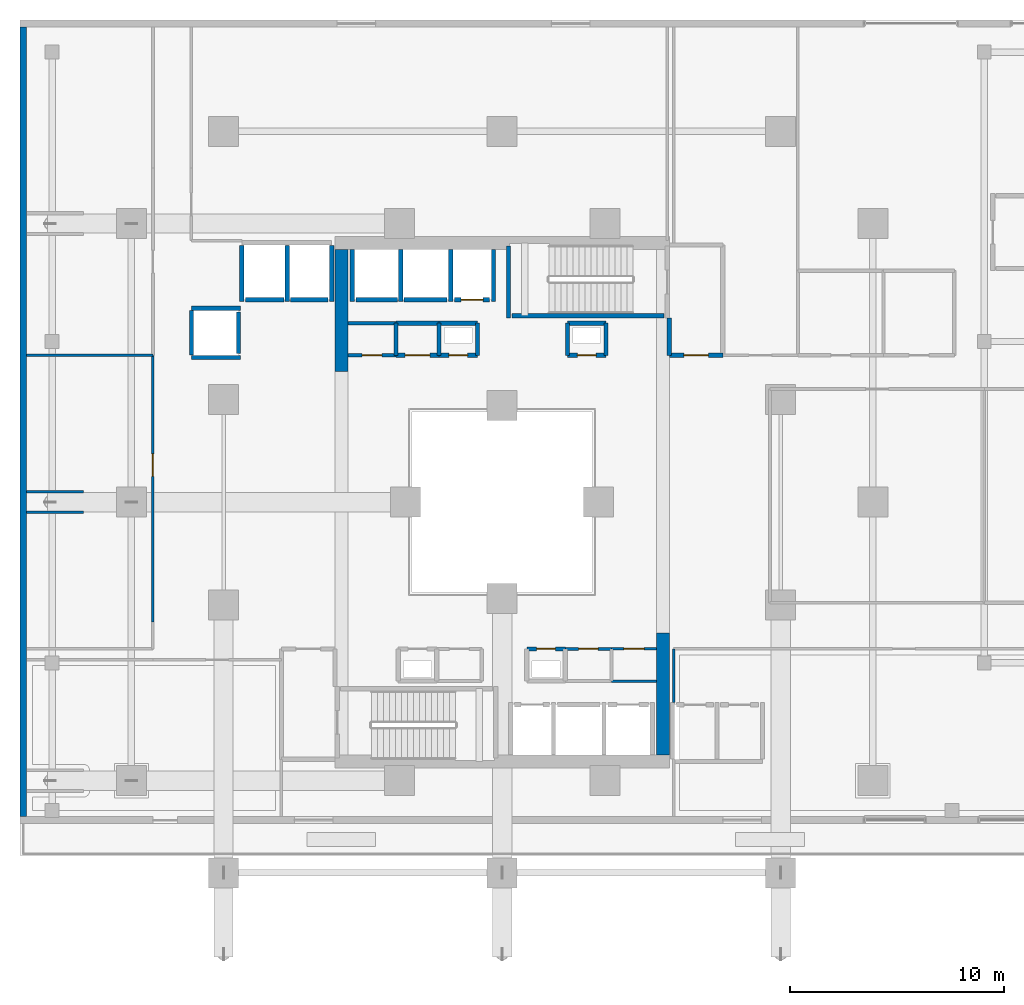
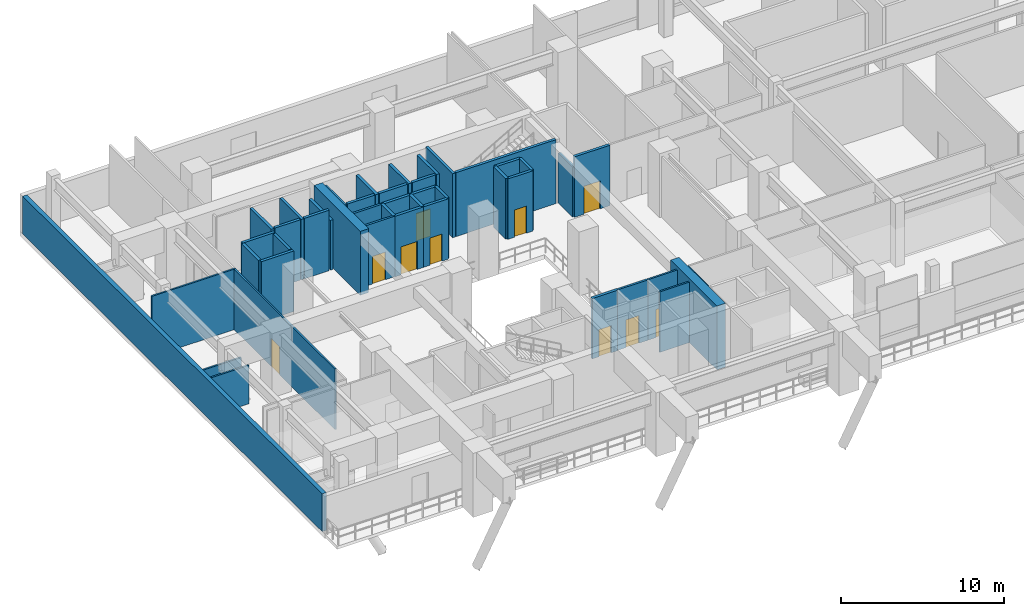
# One storey, part 15 of 25: 45 walls, 10 doors, 10 openings.
"""IFC4 building model written with IfcOpenShell, lengths in metres."""

import ifcopenshell
import ifcopenshell.guid

model = None  # the IFC model being written
_history = None  # IfcOwnerHistory: only IFC2X3 demands one
_inside = {}  # id of a spatial element -> (the spatial element, [elements in it])
_under = {}  # id of a project, library or spatial element -> (it, [spatial elements below it])
_declared = {}  # id of a project -> (the project, [libraries it declares])
_typed = {}  # id of a type object -> (the type object, [elements of that type])
_made_of = {}  # id of a material, layer set ... -> (it, [elements and type objects made of it])


def new_model(schema):
    """Start an empty IFC model of exactly this schema.

    Asked for "IFC4X3", IfcOpenShell would pick the latest addendum, in which some entities
    have other attributes; the version numbers below select the first issue.
    IFC2X3 requires an IfcOwnerHistory on every rooted entity: one is made here for all.
    """
    global model, _history
    if schema == "IFC4X3":
        model = ifcopenshell.file(schema_version=(4, 3, 0, 0))
    else:
        model = ifcopenshell.file(schema=schema)
    _inside.clear()
    _under.clear()
    _declared.clear()
    _typed.clear()
    _made_of.clear()
    _history = None
    if model.schema == "IFC2X3":
        org = make("IfcOrganization", Name="unknown")
        user = make(
            "IfcPersonAndOrganization",
            ThePerson=make("IfcPerson", FamilyName="unknown"),
            TheOrganization=org,
        )
        app = make(
            "IfcApplication",
            ApplicationDeveloper=org,
            Version="unknown",
            ApplicationFullName="unknown",
            ApplicationIdentifier="unknown",
        )
        _history = make(
            "IfcOwnerHistory",
            OwningUser=user,
            OwningApplication=app,
            ChangeAction="ADDED",
            CreationDate=0,
        )
    return model


def make(cls, **values):
    """One entity of the class cls with the attributes given. An attribute that is None is left unset."""
    return model.create_entity(
        cls, **{name: value for name, value in values.items() if value is not None}
    )


def rooted(cls, **values):
    """An entity with a GlobalId (a new one), such as an element, a storey or a relation."""
    return make(cls, GlobalId=ifcopenshell.guid.new(), OwnerHistory=_history, **values)


def si_unit(unit_type, name, prefix=None):
    """IfcSIUnit, for example si_unit("LENGTHUNIT", "METRE", prefix="MILLI")."""
    return make("IfcSIUnit", UnitType=unit_type, Prefix=prefix, Name=name)


def assignment(units):
    """IfcUnitAssignment: the units of a project."""
    return None if units is None else make("IfcUnitAssignment", Units=units)


def point(xyz):
    """IfcCartesianPoint."""
    return None if xyz is None else make("IfcCartesianPoint", Coordinates=xyz)


def direction(xyz):
    """IfcDirection."""
    return None if xyz is None else make("IfcDirection", DirectionRatios=xyz)


def frame(location, z_axis=None, x_axis=None):
    """IfcAxis2Placement3D, a coordinate frame: its origin and axes. An axis left out is left unset."""
    return make(
        "IfcAxis2Placement3D",
        Location=point(location),
        Axis=direction(z_axis),
        RefDirection=direction(x_axis),
    )


def frame_2d(location, x_axis=None):
    """IfcAxis2Placement2D, a coordinate frame in the plane: its origin and x axis."""
    return make(
        "IfcAxis2Placement2D", Location=point(location), RefDirection=direction(x_axis)
    )


def origin():
    """The frame at (0, 0, 0) with its axes left unset."""
    return frame((0.0, 0.0, 0.0))


def place(relative_to, where):
    """IfcLocalPlacement: puts the frame where relative to a parent placement (None: the world)."""
    return make(
        "IfcLocalPlacement", PlacementRelTo=relative_to, RelativePlacement=where
    )


def context(
    kind, dimensions, precision=None, world=None, true_north=None, identifier=None
):
    """IfcGeometricRepresentationContext, for example the 3D "Model" context."""
    return make(
        "IfcGeometricRepresentationContext",
        ContextIdentifier=identifier,
        ContextType=kind,
        CoordinateSpaceDimension=dimensions,
        Precision=precision,
        WorldCoordinateSystem=world,
        TrueNorth=true_north,
    )


def subcontext(parent, identifier, kind, view, scale=None):
    """IfcGeometricRepresentationSubContext, for example "Body" below "Model"."""
    return make(
        "IfcGeometricRepresentationSubContext",
        ContextIdentifier=identifier,
        ContextType=kind,
        ParentContext=parent,
        TargetScale=scale,
        TargetView=view,
    )


def project(units=None, contexts=None):
    """IfcProject with its units and contexts."""
    return rooted(
        "IfcProject",
        Name="project",
        RepresentationContexts=contexts,
        UnitsInContext=assignment(units),
    )


def spatial(cls, under=None, at=None, **own):
    """A site, building, storey or space (cls), placed at a placement, below another one or the project."""
    s = rooted(cls, ObjectPlacement=at, **own)
    if under is not None:
        _under.setdefault(under.id(), (under, []))[1].append(s)
    return s


def profile(cls, at=None, kind="AREA", **sizes):
    """A parametric profile (cls). Its sizes go by their IFC names, for example OverallWidth=200.0."""
    return make(cls, ProfileType=kind, Position=at, **sizes)


def rectangle(**sizes):
    """IfcRectangleProfileDef."""
    return profile("IfcRectangleProfileDef", **sizes)


def extrude(swept, where, along, depth):
    """IfcExtrudedAreaSolid: the profile swept, set in the frame where, extruded along a direction by depth."""
    return make(
        "IfcExtrudedAreaSolid",
        SweptArea=swept,
        Position=where,
        ExtrudedDirection=direction(along),
        Depth=depth,
    )


def shape(context_of_items, identifier, shape_type, items):
    """IfcShapeRepresentation: the items that make up one representation, for example the "Body"."""
    return make(
        "IfcShapeRepresentation",
        ContextOfItems=context_of_items,
        RepresentationIdentifier=identifier,
        RepresentationType=shape_type,
        Items=items,
    )


def material(Name=None, Category=None):
    """IfcMaterial."""
    return make("IfcMaterial", Name=Name, Category=Category)


def layer(
    of_material, thickness, ventilated=None, Name=None, Category=None, Priority=None
):
    """IfcMaterialLayer: one layer of a wall or slab, of a material (None: an air gap)."""
    return make(
        "IfcMaterialLayer",
        Material=of_material,
        LayerThickness=thickness,
        IsVentilated=ventilated,
        Name=Name,
        Category=Category,
        Priority=Priority,
    )


def layer_set(layers, Name=None):
    """IfcMaterialLayerSet."""
    return make("IfcMaterialLayerSet", MaterialLayers=layers, LayerSetName=Name)


def made_of(thing, what):
    """Note that an element or type object is made of a material, layer set ...; save() writes the relation."""
    if what is not None:
        _made_of.setdefault(what.id(), (what, []))[1].append(thing)
    return thing


def type_object(cls, material=None, **own):
    """A type object (cls), such as IfcWallType, which elements share."""
    return made_of(rooted(cls, **own), material)


def element(
    cls,
    number,
    at=None,
    inside=None,
    cuts=None,
    type_object=None,
    material=None,
    context=None,
    identifier="Body",
    shape_type=None,
    held_by="IfcProductDefinitionShape",
    body=None,
    shapes=None,
    **own,
):
    """One element of the class cls, such as IfcWall. Its Tag is "e" and its number.

    at: its placement. inside: the storey or other place that contains it. cuts: it is an
    opening in that element (IfcRelVoidsElement). A single representation is given by context,
    identifier, shape_type and body (its items); several are given by shapes. held_by: the class
    of the entity that holds the representations. save() writes the other relations.
    """
    e = rooted(cls, Tag="e%d" % number, ObjectPlacement=at, **own)
    if body is not None:
        shapes = [shape(context, identifier, shape_type, body)]
    if shapes is not None:
        e.Representation = make(held_by, Representations=shapes)
    if inside is not None:
        _inside.setdefault(inside.id(), (inside, []))[1].append(e)
    if cuts is not None:
        rooted(
            "IfcRelVoidsElement", RelatingBuildingElement=cuts, RelatedOpeningElement=e
        )
    if type_object is not None:
        _typed.setdefault(type_object.id(), (type_object, []))[1].append(e)
    return made_of(e, material)


def fill(opening, filler):
    """IfcRelFillsElement: the door or window that sits in an opening."""
    return rooted(
        "IfcRelFillsElement",
        RelatingOpeningElement=opening,
        RelatedBuildingElement=filler,
    )


def aggregate(whole, parts):
    """IfcRelAggregates: a whole, such as a stair, and the parts it consists of."""
    return rooted("IfcRelAggregates", RelatingObject=whole, RelatedObjects=parts)


def save(model, path):
    """Write the relations noted so far, then the file.

    IfcRelAggregates (storeys below a building ...), IfcRelContainedInSpatialStructure (elements
    in a storey), IfcRelDefinesByType, IfcRelAssociatesMaterial and IfcRelDeclares: one each for
    every whole, place, type object, material and project.
    """
    for whole, parts in _under.values():
        aggregate(whole, parts)
    for where, things in _inside.values():
        rooted(
            "IfcRelContainedInSpatialStructure",
            RelatedElements=things,
            RelatingStructure=where,
        )
    for kind, things in _typed.values():
        rooted("IfcRelDefinesByType", RelatedObjects=things, RelatingType=kind)
    for what, things in _made_of.values():
        rooted("IfcRelAssociatesMaterial", RelatedObjects=things, RelatingMaterial=what)
    for by, libraries in _declared.values():
        rooted("IfcRelDeclares", RelatingContext=by, RelatedDefinitions=libraries)
    model.write(path)


model = new_model("IFC4")

# Units and contexts
model_context = context("Model", 3, precision=1e-05, world=origin(), true_north=direction((0.0, 1.0)))
body_context = subcontext(model_context, "Body", "Model", "MODEL_VIEW")
ifc_project = project(units=[si_unit("LENGTHUNIT", "METRE"), si_unit("AREAUNIT", "SQUARE_METRE"), si_unit("VOLUMEUNIT", "CUBIC_METRE"), si_unit("PLANEANGLEUNIT", "RADIAN"), si_unit("MASSUNIT", "GRAM", prefix="KILO")], contexts=[model_context])

# Site, building, storey
site_placement = place(None, origin())
site = spatial("IfcSite", under=ifc_project, at=site_placement, CompositionType="ELEMENT")
building_placement = place(site_placement, origin())
building = spatial("IfcBuilding", under=site, at=building_placement, Name="Thornwick Lancets Civic Towers", CompositionType="ELEMENT")
storey_placement = place(building_placement, frame((0.0, 0.0, 23.10009765625)))
storey = spatial("IfcBuildingStorey", under=building, at=storey_placement, Name="L05", CompositionType="ELEMENT", Elevation=23.10009765625)

# Wall, opening, door
ifc_material_1 = material(Name="Concrete blockwork C40/50", Category="masonry")
ifc_layer_1 = layer(ifc_material_1, 0.199951171875, Name="Concrete blockwork C40/50")
ifc_layer_set_1 = layer_set([ifc_layer_1], Name="Concrete blockwork C40/50")
wall_type_1 = type_object("IfcWallType", Name="WALL_COMP_200", PredefinedType="STANDARD", material=ifc_layer_set_1)
wall_1_placement = place(storey_placement, frame((24.919921875, 36.449951171875, 0.0), z_axis=(0.0, 0.0, 1.0), x_axis=(-1.0, 0.0, 0.0)))
wall_1 = element("IfcWall", 1, at=wall_1_placement, inside=storey, type_object=wall_type_1, Name="L05 Hoistway Front Wall FL-A2", PredefinedType="STANDARD", context=body_context, shape_type="SweptSolid", body=[
    extrude(rectangle(XDim=1.639892578125, YDim=0.199951171875, at=frame_2d((0.81982421875, 0.0))), origin(), (0.0, 0.0, 1.0), 4.539794921875),
])
opening_1_placement = place(wall_1_placement, frame((0.31005859375, 0.0, 0.0)))
opening_1 = element("IfcOpeningElement", 2, at=opening_1_placement, cuts=wall_1, Name="Opening LD-FL-A2", PredefinedType="OPENING", context=body_context, shape_type="SweptSolid", body=[
    extrude(rectangle(XDim=1.02001953125, YDim=2.06005859375, at=frame_2d((0.510009765625, 1.030029296875))), frame((0.0, 0.10986328125, 0.0), z_axis=(0.0, -1.0, 0.0), x_axis=(1.0, 0.0, 0.0)), (0.0, 0.0, 1.0), 0.219970703125),
])
ifc_material_2 = material(Name="Brushed bronze stainless steel", Category="steel")
door_type_1 = type_object("IfcDoorType", Name="DOOR_LIFT_SLIDE", OperationType="SLIDING_TO_LEFT", PredefinedType="DOOR", material=ifc_material_2)
door_1_placement = place(opening_1_placement, origin())
door_1 = element("IfcDoor", 3, at=door_1_placement, inside=storey, type_object=door_type_1, Name="L05 Sliding Lift Landing Door LD-FL-A2", OperationType="SLIDING_TO_LEFT", OverallHeight=2.06005859375, OverallWidth=1.02001953125, PredefinedType="DOOR", context=body_context, shape_type="SweptSolid", body=[
    extrude(rectangle(XDim=1.02001953125, YDim=2.06005859375, at=frame_2d((0.510009765625, 1.030029296875))), frame((0.0, 0.02490234375, 0.0), z_axis=(0.0, -1.0, 0.0), x_axis=(1.0, 0.0, 0.0)), (0.0, 0.0, 1.0), 0.050048828125),
])
fill(opening_1, door_1)

# Walls
wall_2_placement = place(storey_placement, frame((22.919921875, 36.449951171875, 0.0), z_axis=(0.0, 0.0, 1.0), x_axis=(-1.0, 0.0, 0.0)))
element("IfcWall", 4, at=wall_2_placement, inside=storey, type_object=wall_type_1, Name="L05 Hoistway Front Wall PL-AH2", PredefinedType="STANDARD", context=body_context, shape_type="SweptSolid", body=[
    extrude(rectangle(XDim=1.989990234375, YDim=0.199951171875, at=frame_2d((0.9951171875, 0.0))), origin(), (0.0, 0.0, 1.0), 4.539794921875),
])
wall_3_placement = place(storey_placement, frame((20.6201171875, 36.449951171875, 0.0), z_axis=(0.0, 0.0, 1.0), x_axis=(-1.0, 0.0, 0.0)))
element("IfcWall", 5, at=wall_3_placement, inside=storey, type_object=wall_type_1, Name="L05 Hoistway Front Wall PL-AH3", PredefinedType="STANDARD", context=body_context, shape_type="SweptSolid", body=[
    extrude(rectangle(XDim=1.940185546875, YDim=0.199951171875, at=frame_2d((0.97021484375, 0.0))), origin(), (0.0, 0.0, 1.0), 4.539794921875),
])
wall_4_placement = place(storey_placement, frame((17.3701171875, 36.449951171875, 0.0), z_axis=(0.0, 0.0, 1.0), x_axis=(-1.0, 0.0, 0.0)))
element("IfcWall", 6, at=wall_4_placement, inside=storey, type_object=wall_type_1, Name="L05 Hoistway Front Wall PL-AM1", PredefinedType="STANDARD", context=body_context, shape_type="SweptSolid", body=[
    extrude(rectangle(XDim=1.740234375, YDim=0.199951171875, at=frame_2d((0.8701171875, 0.0))), origin(), (0.0, 0.0, 1.0), 4.539794921875),
])
wall_5_placement = place(storey_placement, frame((15.320068359375, 36.449951171875, 0.0), z_axis=(0.0, 0.0, 1.0), x_axis=(-1.0, 0.0, 0.0)))
element("IfcWall", 7, at=wall_5_placement, inside=storey, type_object=wall_type_1, Name="L05 Hoistway Front Wall PL-AM2", PredefinedType="STANDARD", context=body_context, shape_type="SweptSolid", body=[
    extrude(rectangle(XDim=1.7900390625, YDim=0.199951171875, at=frame_2d((0.89501953125, 0.0))), origin(), (0.0, 0.0, 1.0), 4.539794921875),
])
wall_6_placement = place(storey_placement, frame((13.199951171875, 33.929931640625, 0.0), z_axis=(0.0, 0.0, 1.0), x_axis=(0.0, 1.0, 0.0)))
element("IfcWall", 8, at=wall_6_placement, inside=storey, type_object=wall_type_1, Name="L05 Hoistway Front Wall PL-AM3", PredefinedType="STANDARD", context=body_context, shape_type="SweptSolid", body=[
    extrude(rectangle(XDim=1.940185546875, YDim=0.199951171875, at=frame_2d((0.97021484375, 0.0))), origin(), (0.0, 0.0, 1.0), 4.539794921875),
])
for number, where, z_axis, x_axis, name in (
    (9, (25.10009765625, 36.35205078125, 0.0), (0.0, 0.0, 1.0), (0.0, 1.0, 0.0), "L05 Hoistway Shaft Wall FL-A2 E"),
    (10, (23.10009765625, 36.35205078125, 0.0), (0.0, 0.0, 1.0), (0.0, 1.0, 0.0), "L05 Hoistway Shaft Wall FL-A2 W"),
    (11, (20.77490234375, 36.35205078125, 0.0), (0.0, 0.0, 1.0), (0.0, 1.0, 0.0), "L05 Hoistway Shaft Wall PL-AH2 W"),
    (12, (18.5, 36.35205078125, 0.0), (0.0, 0.0, 1.0), (0.0, 1.0, 0.0), "L05 Hoistway Shaft Wall PL-AH3 W"),
):
    element("IfcWall", number, at=place(storey_placement, frame(where, z_axis=z_axis, x_axis=x_axis)), inside=storey, type_object=wall_type_1, Name=name, PredefinedType="STANDARD", context=body_context, shape_type="SweptSolid", body=[
        extrude(rectangle(XDim=2.43603515625, YDim=0.199951171875, at=frame_2d((1.218017578125, 0.0))), origin(), (0.0, 0.0, 1.0), 4.539794921875),
    ])
wall_7_placement = place(storey_placement, frame((17.550048828125, 36.35205078125, 0.0), z_axis=(0.0, 0.0, 1.0), x_axis=(0.0, 1.0, 0.0)))
element("IfcWall", 13, at=wall_7_placement, inside=storey, type_object=wall_type_1, Name="L05 Hoistway Shaft Wall PL-AM1 E", PredefinedType="STANDARD", context=body_context, shape_type="SweptSolid", body=[
    extrude(rectangle(XDim=2.635986328125, YDim=0.199951171875, at=frame_2d((1.31787109375, 0.0))), origin(), (0.0, 0.0, 1.0), 3.744873046875),
])
for number, where, z_axis, x_axis, name in (
    (14, (15.47509765625, 36.35205078125, 0.0), (0.0, 0.0, 1.0), (0.0, 1.0, 0.0), "L05 Hoistway Shaft Wall PL-AM1 W"),
    (15, (13.35009765625, 36.35205078125, 0.0), (0.0, 0.0, 1.0), (0.0, 1.0, 0.0), "L05 Hoistway Shaft Wall PL-AM2 W"),
):
    element("IfcWall", number, at=place(storey_placement, frame(where, z_axis=z_axis, x_axis=x_axis)), inside=storey, type_object=wall_type_1, Name=name, PredefinedType="STANDARD", context=body_context, shape_type="SweptSolid", body=[
        extrude(rectangle(XDim=2.635986328125, YDim=0.199951171875, at=frame_2d((1.31787109375, 0.0))), origin(), (0.0, 0.0, 1.0), 4.539794921875),
    ])
for number, where, z_axis, x_axis, name in (
    (16, (11.001953125, 36.050048828125, 0.0), (0.0, 0.0, 1.0), (1.0, 0.0, 0.0), "L05 Hoistway Shaft Wall PL-AM3 N"),
    (17, (11.001953125, 33.75, 0.0), (0.0, 0.0, 1.0), (1.0, 0.0, 0.0), "L05 Hoistway Shaft Wall PL-AM3 S"),
):
    element("IfcWall", number, at=place(storey_placement, frame(where, z_axis=z_axis, x_axis=x_axis)), inside=storey, type_object=wall_type_1, Name=name, PredefinedType="STANDARD", context=body_context, shape_type="SweptSolid", body=[
        extrude(rectangle(XDim=2.296142578125, YDim=0.199951171875, at=frame_2d((1.14794921875, 0.0))), origin(), (0.0, 0.0, 1.0), 4.539794921875),
    ])
wall_8_placement = place(storey_placement, frame((11.0, 33.862060546875, 0.0), z_axis=(0.0, 0.0, 1.0), x_axis=(0.0, 1.0, 0.0)))
element("IfcWall", 18, at=wall_8_placement, inside=storey, type_object=wall_type_1, Name="L05 Hoistway Shaft Wall PL-AM3 W", PredefinedType="STANDARD", context=body_context, shape_type="SweptSolid", body=[
    extrude(rectangle(XDim=2.075927734375, YDim=0.199951171875, at=frame_2d((1.0380859375, 0.0))), origin(), (0.0, 0.0, 1.0), 4.539794921875),
])

# Wall, opening, door
wall_9_placement = place(storey_placement, frame((33.300048828125, 33.85009765625, 0.0), z_axis=(0.0, 0.0, 1.0), x_axis=(1.0, 0.0, 0.0)))
wall_9 = element("IfcWall", 19, at=wall_9_placement, inside=storey, type_object=wall_type_1, Name="L05 Partition L05-A-FFLOB2 E1", PredefinedType="STANDARD", context=body_context, shape_type="SweptSolid", body=[
    extrude(rectangle(XDim=2.5, YDim=0.199951171875, at=frame_2d((1.25, 0.0))), origin(), (0.0, 0.0, 1.0), 4.539794921875),
])
opening_2_placement = place(wall_9_placement, frame((0.675048828125, 0.0, 0.0)))
opening_2 = element("IfcOpeningElement", 20, at=opening_2_placement, cuts=wall_9, Name="Opening D-L05-0279", PredefinedType="OPENING", context=body_context, shape_type="SweptSolid", body=[
    extrude(rectangle(XDim=1.14990234375, YDim=2.10009765625, at=frame_2d((0.574951171875, 1.050048828125))), frame((0.0, 0.10986328125, 0.0), z_axis=(0.0, -1.0, 0.0), x_axis=(1.0, 0.0, 0.0)), (0.0, 0.0, 1.0), 0.219970703125),
])
ifc_material_3 = material(Name="Glazed fire-resisting steel", Category="steel")
door_type_2 = type_object("IfcDoorType", Name="DOOR_LOBBY_FD60", OperationType="NOTDEFINED", PredefinedType="DOOR", material=ifc_material_3)
door_2_placement = place(opening_2_placement, origin())
door_2 = element("IfcDoor", 21, at=door_2_placement, inside=storey, type_object=door_type_2, Name="L05 North Firefighting Lobby 2 Door", OperationType="SINGLE_SWING_RIGHT", OverallHeight=2.10009765625, OverallWidth=1.14990234375, PredefinedType="DOOR", context=body_context, shape_type="SweptSolid", body=[
    extrude(rectangle(XDim=1.14990234375, YDim=2.10009765625, at=frame_2d((0.574951171875, 1.050048828125))), frame((0.0, 0.02490234375, 0.0), z_axis=(0.0, -1.0, 0.0), x_axis=(1.0, 0.0, 0.0)), (0.0, 0.0, 1.0), 0.050048828125),
])
fill(opening_2, door_2)

# Wall
wall_10_placement = place(storey_placement, frame((33.300048828125, 35.60009765625, 0.0), z_axis=(0.0, 0.0, 1.0), x_axis=(0.0, -1.0, 0.0)))
element("IfcWall", 22, at=wall_10_placement, inside=storey, type_object=wall_type_1, Name="L05 Partition L05-A-FFLOB2 E4", PredefinedType="STANDARD", context=body_context, shape_type="SweptSolid", body=[
    extrude(rectangle(XDim=1.75, YDim=0.199951171875, at=frame_2d((0.875, 0.0))), origin(), (0.0, 0.0, 1.0), 3.744873046875),
])

# Wall, opening, door
wall_11_placement = place(storey_placement, frame((28.449951171875, 20.14990234375, 0.0), z_axis=(0.0, 0.0, 1.0), x_axis=(-1.0, 0.0, 0.0)))
wall_11 = element("IfcWall", 23, at=wall_11_placement, inside=storey, type_object=wall_type_1, Name="L05 Partition L05-A-DUCT1 E3", PredefinedType="STANDARD", context=body_context, shape_type="SweptSolid", body=[
    extrude(rectangle(XDim=1.800048828125, YDim=0.199951171875, at=frame_2d((0.89990234375, 0.0))), origin(), (0.0, 0.0, 1.0), 4.539794921875),
])
opening_3_placement = place(wall_11_placement, frame((0.4599609375, 0.0, 0.0)))
opening_3 = element("IfcOpeningElement", 24, at=opening_3_placement, cuts=wall_11, Name="Opening D-L05-0280", PredefinedType="OPENING", context=body_context, shape_type="SweptSolid", body=[
    extrude(rectangle(XDim=0.8798828125, YDim=2.0400390625, at=frame_2d((0.43994140625, 1.02001953125))), frame((0.0, 0.10986328125, 0.0), z_axis=(0.0, -1.0, 0.0), x_axis=(1.0, 0.0, 0.0)), (0.0, 0.0, 1.0), 0.219970703125),
])
ifc_material_4 = material(Name="Steel riser access doorset", Category="steel")
door_type_3 = type_object("IfcDoorType", Name="DOOR_RISER_850", OperationType="NOTDEFINED", PredefinedType="DOOR", material=ifc_material_4)
door_3_placement = place(opening_3_placement, origin())
door_3 = element("IfcDoor", 25, at=door_3_placement, inside=storey, type_object=door_type_3, Name="L05 South Service Duct 1 Door", OperationType="SINGLE_SWING_LEFT", OverallHeight=2.0400390625, OverallWidth=0.8798828125, PredefinedType="DOOR", context=body_context, shape_type="SweptSolid", body=[
    extrude(rectangle(XDim=0.8798828125, YDim=2.0400390625, at=frame_2d((0.43994140625, 1.02001953125))), frame((0.0, 0.02490234375, 0.0), z_axis=(0.0, -1.0, 0.0), x_axis=(1.0, 0.0, 0.0)), (0.0, 0.0, 1.0), 0.050048828125),
])
fill(opening_3, door_3)

wall_12_placement = place(storey_placement, frame((22.550048828125, 33.85009765625, 0.0), z_axis=(0.0, 0.0, 1.0), x_axis=(1.0, 0.0, 0.0)))
wall_12 = element("IfcWall", 26, at=wall_12_placement, inside=storey, type_object=wall_type_1, Name="L05 Partition L05-A-DUCT2 E1", PredefinedType="STANDARD", context=body_context, shape_type="SweptSolid", body=[
    extrude(rectangle(XDim=1.800048828125, YDim=0.199951171875, at=frame_2d((0.89990234375, 0.0))), origin(), (0.0, 0.0, 1.0), 4.539794921875),
])
opening_4_placement = place(wall_12_placement, frame((0.4599609375, 0.0, 0.0)))
opening_4 = element("IfcOpeningElement", 27, at=opening_4_placement, cuts=wall_12, Name="Opening D-L05-0282", PredefinedType="OPENING", context=body_context, shape_type="SweptSolid", body=[
    extrude(rectangle(XDim=0.8798828125, YDim=2.0400390625, at=frame_2d((0.43994140625, 1.02001953125))), frame((0.0, 0.10986328125, 0.0), z_axis=(0.0, -1.0, 0.0), x_axis=(1.0, 0.0, 0.0)), (0.0, 0.0, 1.0), 0.219970703125),
])
door_4_placement = place(opening_4_placement, origin())
door_4 = element("IfcDoor", 28, at=door_4_placement, inside=storey, type_object=door_type_3, Name="L05 North Service Duct 2 Door", OperationType="SINGLE_SWING_LEFT", OverallHeight=2.0400390625, OverallWidth=0.8798828125, PredefinedType="DOOR", context=body_context, shape_type="SweptSolid", body=[
    extrude(rectangle(XDim=0.8798828125, YDim=2.0400390625, at=frame_2d((0.43994140625, 1.02001953125))), frame((0.0, 0.02490234375, 0.0), z_axis=(0.0, -1.0, 0.0), x_axis=(1.0, 0.0, 0.0)), (0.0, 0.0, 1.0), 0.050048828125),
])
fill(opening_4, door_4)

# Walls
wall_13_placement = place(storey_placement, frame((24.35009765625, 33.85009765625, 0.0), z_axis=(0.0, 0.0, 1.0), x_axis=(0.0, 1.0, 0.0)))
element("IfcWall", 29, at=wall_13_placement, inside=storey, type_object=wall_type_1, Name="L05 Partition L05-A-DUCT2 E2", PredefinedType="STANDARD", context=body_context, shape_type="SweptSolid", body=[
    extrude(rectangle(XDim=1.5, YDim=0.199951171875, at=frame_2d((0.75, 0.0))), origin(), (0.0, 0.0, 1.0), 4.539794921875),
])
wall_14_placement = place(storey_placement, frame((24.35009765625, 35.35009765625, 0.0), z_axis=(0.0, 0.0, 1.0), x_axis=(-1.0, 0.0, 0.0)))
element("IfcWall", 30, at=wall_14_placement, inside=storey, type_object=wall_type_1, Name="L05 Partition L05-A-DUCT2 E3", PredefinedType="STANDARD", context=body_context, shape_type="SweptSolid", body=[
    extrude(rectangle(XDim=1.800048828125, YDim=0.199951171875, at=frame_2d((0.89990234375, 0.0))), origin(), (0.0, 0.0, 1.0), 4.539794921875),
])
wall_15_placement = place(storey_placement, frame((22.550048828125, 35.35009765625, 0.0), z_axis=(0.0, 0.0, 1.0), x_axis=(0.0, -1.0, 0.0)))
element("IfcWall", 31, at=wall_15_placement, inside=storey, type_object=wall_type_1, Name="L05 Partition L05-A-DUCT2 E4", PredefinedType="STANDARD", context=body_context, shape_type="SweptSolid", body=[
    extrude(rectangle(XDim=1.5, YDim=0.199951171875, at=frame_2d((0.75, 0.0))), origin(), (0.0, 0.0, 1.0), 4.539794921875),
])

# Wall, opening, door
wall_16_placement = place(storey_placement, frame((28.550048828125, 33.85009765625, 0.0), z_axis=(0.0, 0.0, 1.0), x_axis=(1.0, 0.0, 0.0)))
wall_16 = element("IfcWall", 32, at=wall_16_placement, inside=storey, type_object=wall_type_1, Name="L05 Partition L05-A-RISER2 E1", PredefinedType="STANDARD", context=body_context, shape_type="SweptSolid", body=[
    extrude(rectangle(XDim=1.800048828125, YDim=0.199951171875, at=frame_2d((0.89990234375, 0.0))), origin(), (0.0, 0.0, 1.0), 4.539794921875),
])
opening_5_placement = place(wall_16_placement, frame((0.4599609375, 0.0, 0.0)))
opening_5 = element("IfcOpeningElement", 33, at=opening_5_placement, cuts=wall_16, Name="Opening D-L05-0283", PredefinedType="OPENING", context=body_context, shape_type="SweptSolid", body=[
    extrude(rectangle(XDim=0.8798828125, YDim=2.0400390625, at=frame_2d((0.43994140625, 1.02001953125))), frame((0.0, 0.10986328125, 0.0), z_axis=(0.0, -1.0, 0.0), x_axis=(1.0, 0.0, 0.0)), (0.0, 0.0, 1.0), 0.219970703125),
])
door_5_placement = place(opening_5_placement, origin())
door_5 = element("IfcDoor", 34, at=door_5_placement, inside=storey, type_object=door_type_3, Name="L05 North Service Riser 2 Door", OperationType="SINGLE_SWING_RIGHT", OverallHeight=2.0400390625, OverallWidth=0.8798828125, PredefinedType="DOOR", context=body_context, shape_type="SweptSolid", body=[
    extrude(rectangle(XDim=0.8798828125, YDim=2.0400390625, at=frame_2d((0.43994140625, 1.02001953125))), frame((0.0, 0.02490234375, 0.0), z_axis=(0.0, -1.0, 0.0), x_axis=(1.0, 0.0, 0.0)), (0.0, 0.0, 1.0), 0.050048828125),
])
fill(opening_5, door_5)

# Walls
wall_17_placement = place(storey_placement, frame((30.35009765625, 33.85009765625, 0.0), z_axis=(0.0, 0.0, 1.0), x_axis=(0.0, 1.0, 0.0)))
element("IfcWall", 35, at=wall_17_placement, inside=storey, type_object=wall_type_1, Name="L05 Partition L05-A-RISER2 E2", PredefinedType="STANDARD", context=body_context, shape_type="SweptSolid", body=[
    extrude(rectangle(XDim=1.5, YDim=0.199951171875, at=frame_2d((0.75, 0.0))), origin(), (0.0, 0.0, 1.0), 4.539794921875),
])
wall_18_placement = place(storey_placement, frame((30.35009765625, 35.35009765625, 0.0), z_axis=(0.0, 0.0, 1.0), x_axis=(-1.0, 0.0, 0.0)))
element("IfcWall", 36, at=wall_18_placement, inside=storey, type_object=wall_type_1, Name="L05 Partition L05-A-RISER2 E3", PredefinedType="STANDARD", context=body_context, shape_type="SweptSolid", body=[
    extrude(rectangle(XDim=1.800048828125, YDim=0.199951171875, at=frame_2d((0.89990234375, 0.0))), origin(), (0.0, 0.0, 1.0), 4.539794921875),
])
for number, where, z_axis, x_axis, name in (
    (37, (28.550048828125, 35.35009765625, 0.0), (0.0, 0.0, 1.0), (0.0, -1.0, 0.0), "L05 Partition L05-A-RISER2 E4"),
    (38, (20.550048828125, 33.85009765625, 0.0), (0.0, 0.0, 1.0), (0.0, 1.0, 0.0), "L05 Partition L05-A-STR E1"),
):
    element("IfcWall", number, at=place(storey_placement, frame(where, z_axis=z_axis, x_axis=x_axis)), inside=storey, type_object=wall_type_1, Name=name, PredefinedType="STANDARD", context=body_context, shape_type="SweptSolid", body=[
        extrude(rectangle(XDim=1.5, YDim=0.199951171875, at=frame_2d((0.75, 0.0))), origin(), (0.0, 0.0, 1.0), 4.539794921875),
    ])
wall_19_placement = place(storey_placement, frame((20.550048828125, 35.35009765625, 0.0), z_axis=(0.0, 0.0, 1.0), x_axis=(1.0, 0.0, 0.0)))
element("IfcWall", 39, at=wall_19_placement, inside=storey, type_object=wall_type_1, Name="L05 Partition L05-A-STR E2", PredefinedType="STANDARD", context=body_context, shape_type="SweptSolid", body=[
    extrude(rectangle(XDim=2.0, YDim=0.199951171875, at=frame_2d((1.0, 0.0))), origin(), (0.0, 0.0, 1.0), 4.539794921875),
])

# Wall, opening, door
wall_20_placement = place(storey_placement, frame((22.550048828125, 33.85009765625, 0.0), z_axis=(0.0, 0.0, 1.0), x_axis=(-1.0, 0.0, 0.0)))
wall_20 = element("IfcWall", 40, at=wall_20_placement, inside=storey, type_object=wall_type_1, Name="L05 Partition L05-A-STR E4", PredefinedType="STANDARD", context=body_context, shape_type="SweptSolid", body=[
    extrude(rectangle(XDim=2.0, YDim=0.199951171875, at=frame_2d((1.0, 0.0))), origin(), (0.0, 0.0, 1.0), 4.539794921875),
])
opening_6_placement = place(wall_20_placement, frame((0.425048828125, 0.0, 0.0)))
opening_6 = element("IfcOpeningElement", 41, at=opening_6_placement, cuts=wall_20, Name="Opening D-L05-0288", PredefinedType="OPENING", context=body_context, shape_type="SweptSolid", body=[
    extrude(rectangle(XDim=1.14990234375, YDim=2.10009765625, at=frame_2d((0.574951171875, 1.050048828125))), frame((0.0, 0.10986328125, 0.0), z_axis=(0.0, -1.0, 0.0), x_axis=(1.0, 0.0, 0.0)), (0.0, 0.0, 1.0), 0.219970703125),
])
door_6_placement = place(opening_6_placement, origin())
door_6 = element("IfcDoor", 42, at=door_6_placement, inside=storey, type_object=door_type_2, Name="L05 Tower A Core Records Store Door", OperationType="SINGLE_SWING_LEFT", OverallHeight=2.10009765625, OverallWidth=1.14990234375, PredefinedType="DOOR", context=body_context, shape_type="SweptSolid", body=[
    extrude(rectangle(XDim=1.14990234375, YDim=2.10009765625, at=frame_2d((0.574951171875, 1.050048828125))), frame((0.0, 0.02490234375, 0.0), z_axis=(0.0, -1.0, 0.0), x_axis=(1.0, 0.0, 0.0)), (0.0, 0.0, 1.0), 0.050048828125),
])
fill(opening_6, door_6)

# Walls
ifc_material_5 = material(Name="Concrete C60/75", Category="concrete")
ifc_layer_2 = layer(ifc_material_5, 0.60009765625, Name="Concrete C60/75")
ifc_layer_set_2 = layer_set([ifc_layer_2], Name="Concrete C60/75")
wall_type_2 = type_object("IfcWallType", Name="WALL_CORE_600", PredefinedType="SHEAR", material=ifc_layer_set_2)
for number, where, z_axis, x_axis, name in (
    (43, (33.0, 15.199951171875, 0.0), (0.0, 0.0, 1.0), (0.0, 1.0, 0.0), "L05 Split Core A1 Shear Wall E"),
    (44, (18.0, 33.10009765625, 0.0), (0.0, 0.0, 1.0), (0.0, 1.0, 0.0), "L05 Split Core A2 Shear Wall W"),
):
    element("IfcWall", number, at=place(storey_placement, frame(where, z_axis=z_axis, x_axis=x_axis)), inside=storey, type_object=wall_type_2, Name=name, PredefinedType="SHEAR", context=body_context, shape_type="SweptSolid", body=[
        extrude(rectangle(XDim=5.699951171875, YDim=0.60009765625, at=frame_2d((2.85009765625, 0.0))), origin(), (0.0, 0.0, 1.0), 4.7998046875),
    ])
ifc_material_6 = material(Name="Insulated russet terracotta rainscreen on concrete C40/50", Category="masonry")
ifc_layer_3 = layer(ifc_material_6, 0.300048828125, Name="Insulated russet terracotta rainscreen on concrete C40/50")
ifc_layer_set_3 = layer_set([ifc_layer_3], Name="Insulated russet terracotta rainscreen on concrete C40/50")
wall_type_3 = type_object("IfcWallType", Name="WALL_EXT_RUSSET_300", PredefinedType="STANDARD", material=ifc_layer_set_3)
wall_21_placement = place(storey_placement, frame((3.14990234375, 49.179931640625, 0.0), z_axis=(0.0, 0.0, 1.0), x_axis=(0.0, -1.0, 0.0)))
element("IfcWall", 45, at=wall_21_placement, inside=storey, type_object=wall_type_3, Name="L05 Podium West Facade Wall", PredefinedType="STANDARD", context=body_context, shape_type="SweptSolid", body=[
    extrude(rectangle(XDim=36.85986328125, YDim=0.300048828125, at=frame_2d((18.429931640625, 0.0))), origin(), (0.0, 0.0, 1.0), 2.83984375),
])
ifc_material_7 = material(Name="Acoustic gypsum board partition")
ifc_layer_4 = layer(ifc_material_7, 0.1201171875, Name="Acoustic gypsum board partition")
ifc_layer_set_4 = layer_set([ifc_layer_4], Name="Acoustic gypsum board partition")
wall_type_4 = type_object("IfcWallType", Name="WALL_PART_120", PredefinedType="PARTITIONING", material=ifc_layer_set_4)
wall_22_placement = place(storey_placement, frame((32.699951171875, 18.64990234375, 0.0), z_axis=(0.0, 0.0, 1.0), x_axis=(-1.0, 0.0, 0.0)))
element("IfcWall", 46, at=wall_22_placement, inside=storey, type_object=wall_type_4, Name="L05 Partition L05-A-ITR E2", PredefinedType="PARTITIONING", context=body_context, shape_type="SweptSolid", body=[
    extrude(rectangle(XDim=2.099853515625, YDim=0.1201171875, at=frame_2d((1.0498046875, 0.0))), origin(), (0.0, 0.0, 1.0), 4.539794921875),
])

# Wall, opening, door
wall_23_placement = place(storey_placement, frame((30.60009765625, 20.14990234375, 0.0), z_axis=(0.0, 0.0, 1.0), x_axis=(1.0, 0.0, 0.0)))
wall_23 = element("IfcWall", 47, at=wall_23_placement, inside=storey, type_object=wall_type_4, Name="L05 Partition L05-A-ITR E4", PredefinedType="PARTITIONING", context=body_context, shape_type="SweptSolid", body=[
    extrude(rectangle(XDim=2.099853515625, YDim=0.1201171875, at=frame_2d((1.0498046875, 0.0))), origin(), (0.0, 0.0, 1.0), 4.539794921875),
])
opening_7_placement = place(wall_23_placement, frame((0.574951171875, 0.0, 0.0)))
opening_7 = element("IfcOpeningElement", 48, at=opening_7_placement, cuts=wall_23, Name="Opening D-L05-0286", PredefinedType="OPENING", context=body_context, shape_type="SweptSolid", body=[
    extrude(rectangle(XDim=0.949951171875, YDim=2.10009765625, at=frame_2d((0.47509765625, 1.050048828125))), frame((0.0, 0.070068359375, 0.0), z_axis=(0.0, -1.0, 0.0), x_axis=(1.0, 0.0, 0.0)), (0.0, 0.0, 1.0), 0.14013671875),
])
ifc_material_8 = material(Name="European oak acoustic doorset")
door_type_4 = type_object("IfcDoorType", Name="DOOR_OFFICE_950", OperationType="NOTDEFINED", PredefinedType="DOOR", material=ifc_material_8)
door_7_placement = place(opening_7_placement, origin())
door_7 = element("IfcDoor", 49, at=door_7_placement, inside=storey, type_object=door_type_4, Name="L05 Tower A Comms Patch Room Door", OperationType="SINGLE_SWING_LEFT", OverallHeight=2.10009765625, OverallWidth=0.949951171875, PredefinedType="DOOR", context=body_context, shape_type="SweptSolid", body=[
    extrude(rectangle(XDim=0.949951171875, YDim=2.10009765625, at=frame_2d((0.47509765625, 1.050048828125))), frame((0.0, 0.02490234375, 0.0), z_axis=(0.0, -1.0, 0.0), x_axis=(1.0, 0.0, 0.0)), (0.0, 0.0, 1.0), 0.050048828125),
])
fill(opening_7, door_7)

# Wall
wall_24_placement = place(storey_placement, frame((33.5, 17.64794921875, 0.0), z_axis=(0.0, 0.0, 1.0), x_axis=(0.0, 1.0, 0.0)))
element("IfcWall", 50, at=wall_24_placement, inside=storey, type_object=wall_type_4, Name="L05 Partition L05-RECEP E4", PredefinedType="PARTITIONING", context=body_context, shape_type="SweptSolid", body=[
    extrude(rectangle(XDim=2.501953125, YDim=0.1201171875, at=frame_2d((1.2509765625, 0.0))), origin(), (0.0, 0.0, 1.0), 4.539794921875),
])

# Wall, opening, door
wall_25_placement = place(storey_placement, frame((9.199951171875, 33.85009765625, 0.0), z_axis=(0.0, 0.0, 1.0), x_axis=(0.0, -1.0, 0.0)))
wall_25 = element("IfcWall", 51, at=wall_25_placement, inside=storey, type_object=wall_type_4, Name="L05 Partition L05-WSUITE E1", PredefinedType="PARTITIONING", context=body_context, shape_type="SweptSolid", body=[
    extrude(rectangle(XDim=12.4501953125, YDim=0.1201171875, at=frame_2d((6.22509765625, 0.0))), origin(), (0.0, 0.0, 1.0), 4.539794921875),
])
opening_8_placement = place(wall_25_placement, frame((4.60009765625, 0.0, 0.0)))
opening_8 = element("IfcOpeningElement", 52, at=opening_8_placement, cuts=wall_25, Name="Opening D-L05-0308", PredefinedType="OPENING", context=body_context, shape_type="SweptSolid", body=[
    extrude(rectangle(XDim=1.050048828125, YDim=2.10009765625, at=frame_2d((0.52490234375, 1.050048828125))), frame((0.0, 0.070068359375, 0.0), z_axis=(0.0, -1.0, 0.0), x_axis=(1.0, 0.0, 0.0)), (0.0, 0.0, 1.0), 0.14013671875),
])
ifc_material_9 = material(Name="Glazed European oak executive doorset")
door_type_5 = type_object("IfcDoorType", Name="DOOR_OFFICE_1050", OperationType="NOTDEFINED", PredefinedType="DOOR", material=ifc_material_9)
door_8_placement = place(opening_8_placement, origin())
door_8 = element("IfcDoor", 53, at=door_8_placement, inside=storey, type_object=door_type_5, Name="L05 West Policy Research Office Door", OperationType="SINGLE_SWING_LEFT", OverallHeight=2.10009765625, OverallWidth=1.050048828125, PredefinedType="DOOR", context=body_context, shape_type="SweptSolid", body=[
    extrude(rectangle(XDim=1.050048828125, YDim=2.10009765625, at=frame_2d((0.52490234375, 1.050048828125))), frame((0.0, 0.02490234375, 0.0), z_axis=(0.0, -1.0, 0.0), x_axis=(1.0, 0.0, 0.0)), (0.0, 0.0, 1.0), 0.050048828125),
])
fill(opening_8, door_8)

# Walls
for number, where, z_axis, x_axis, name in (
    (54, (3.300048828125, 26.52001953125, 0.0), (0.0, 0.0, 1.0), (1.0, 0.0, 0.0), "L05 Partition L05-WSUITE E5"),
    (55, (5.96630859375, 27.47998046875, 0.0), (0.0, 0.0, 1.0), (-1.0, 0.0, 0.0), "L05 Partition L05-WSUITE E7"),
):
    element("IfcWall", number, at=place(storey_placement, frame(where, z_axis=z_axis, x_axis=x_axis)), inside=storey, type_object=wall_type_4, Name=name, PredefinedType="PARTITIONING", context=body_context, shape_type="SweptSolid", body=[
        extrude(rectangle(XDim=2.666259765625, YDim=0.1201171875, at=frame_2d((1.3330078125, 0.0))), origin(), (0.0, 0.0, 1.0), 2.885009765625),
    ])
wall_26_placement = place(storey_placement, frame((3.300048828125, 33.85009765625, 0.0), z_axis=(0.0, 0.0, 1.0), x_axis=(1.0, 0.0, 0.0)))
element("IfcWall", 56, at=wall_26_placement, inside=storey, type_object=wall_type_4, Name="L05 Partition L05-WSUITE E9", PredefinedType="PARTITIONING", context=body_context, shape_type="SweptSolid", body=[
    extrude(rectangle(XDim=5.89990234375, YDim=0.1201171875, at=frame_2d((2.949951171875, 0.0))), origin(), (0.0, 0.0, 1.0), 4.539794921875),
])

# Wall, opening, door
ifc_material_10 = material(Name="Twin-stud acoustic gypsum board")
ifc_layer_5 = layer(ifc_material_10, 0.14990234375, Name="Twin-stud acoustic gypsum board")
ifc_layer_set_5 = layer_set([ifc_layer_5], Name="Twin-stud acoustic gypsum board")
wall_type_5 = type_object("IfcWallType", Name="WALL_PART_150", PredefinedType="PARTITIONING", material=ifc_layer_set_5)
wall_27_placement = place(storey_placement, frame((28.449951171875, 20.14990234375, 0.0), z_axis=(0.0, 0.0, 1.0), x_axis=(1.0, 0.0, 0.0)))
wall_27 = element("IfcWall", 57, at=wall_27_placement, inside=storey, type_object=wall_type_5, Name="L05 Partition L05-A-FWC E4", PredefinedType="PARTITIONING", context=body_context, shape_type="SweptSolid", body=[
    extrude(rectangle(XDim=2.150146484375, YDim=0.14990234375, at=frame_2d((1.0751953125, 0.0))), origin(), (0.0, 0.0, 1.0), 4.539794921875),
])
opening_9_placement = place(wall_27_placement, frame((0.614990234375, 0.0, 0.0)))
opening_9 = element("IfcOpeningElement", 58, at=opening_9_placement, cuts=wall_27, Name="Opening D-L05-0285", PredefinedType="OPENING", context=body_context, shape_type="SweptSolid", body=[
    extrude(rectangle(XDim=0.919921875, YDim=2.080078125, at=frame_2d((0.4599609375, 1.0400390625))), frame((0.0, 0.0849609375, 0.0), z_axis=(0.0, -1.0, 0.0), x_axis=(1.0, 0.0, 0.0)), (0.0, 0.0, 1.0), 0.169921875),
])
ifc_material_11 = material(Name="Moisture-resistant oak doorset")
door_type_6 = type_object("IfcDoorType", Name="DOOR_WC_900", OperationType="NOTDEFINED", PredefinedType="DOOR", material=ifc_material_11)
door_9_placement = place(opening_9_placement, origin())
door_9 = element("IfcDoor", 59, at=door_9_placement, inside=storey, type_object=door_type_6, Name="L05 Tower A Female WC Door", OperationType="SINGLE_SWING_RIGHT", OverallHeight=2.080078125, OverallWidth=0.919921875, PredefinedType="DOOR", context=body_context, shape_type="SweptSolid", body=[
    extrude(rectangle(XDim=0.919921875, YDim=2.080078125, at=frame_2d((0.4599609375, 1.0400390625))), frame((0.0, 0.02490234375, 0.0), z_axis=(0.0, -1.0, 0.0), x_axis=(1.0, 0.0, 0.0)), (0.0, 0.0, 1.0), 0.050048828125),
])
fill(opening_9, door_9)

wall_28_placement = place(storey_placement, frame((18.300048828125, 33.85009765625, 0.0), z_axis=(0.0, 0.0, 1.0), x_axis=(1.0, 0.0, 0.0)))
wall_28 = element("IfcWall", 60, at=wall_28_placement, inside=storey, type_object=wall_type_5, Name="L05 Partition L05-A-AWC E1", PredefinedType="PARTITIONING", context=body_context, shape_type="SweptSolid", body=[
    extrude(rectangle(XDim=2.25, YDim=0.14990234375, at=frame_2d((1.125, 0.0))), origin(), (0.0, 0.0, 1.0), 4.539794921875),
])
opening_10_placement = place(wall_28_placement, frame((0.6650390625, 0.0, 0.0)))
opening_10 = element("IfcOpeningElement", 61, at=opening_10_placement, cuts=wall_28, Name="Opening D-L05-0287", PredefinedType="OPENING", context=body_context, shape_type="SweptSolid", body=[
    extrude(rectangle(XDim=0.919921875, YDim=2.080078125, at=frame_2d((0.4599609375, 1.0400390625))), frame((0.0, 0.0849609375, 0.0), z_axis=(0.0, -1.0, 0.0), x_axis=(1.0, 0.0, 0.0)), (0.0, 0.0, 1.0), 0.169921875),
])
door_10_placement = place(opening_10_placement, origin())
door_10 = element("IfcDoor", 62, at=door_10_placement, inside=storey, type_object=door_type_6, Name="L05 Tower A Accessible WC Door", OperationType="SINGLE_SWING_RIGHT", OverallHeight=2.080078125, OverallWidth=0.919921875, PredefinedType="DOOR", context=body_context, shape_type="SweptSolid", body=[
    extrude(rectangle(XDim=0.919921875, YDim=2.080078125, at=frame_2d((0.4599609375, 1.0400390625))), frame((0.0, 0.02490234375, 0.0), z_axis=(0.0, -1.0, 0.0), x_axis=(1.0, 0.0, 0.0)), (0.0, 0.0, 1.0), 0.050048828125),
])
fill(opening_10, door_10)

# Walls
wall_29_placement = place(storey_placement, frame((20.550048828125, 35.35009765625, 0.0), z_axis=(0.0, 0.0, 1.0), x_axis=(-1.0, 0.0, 0.0)))
element("IfcWall", 63, at=wall_29_placement, inside=storey, type_object=wall_type_5, Name="L05 Partition L05-A-AWC E3", PredefinedType="PARTITIONING", context=body_context, shape_type="SweptSolid", body=[
    extrude(rectangle(XDim=2.25, YDim=0.14990234375, at=frame_2d((1.125, 0.0))), origin(), (0.0, 0.0, 1.0), 4.539794921875),
])
ifc_material_12 = material(Name="Concrete C40/50", Category="concrete")
ifc_layer_6 = layer(ifc_material_12, 0.199951171875, Name="Concrete C40/50")
ifc_layer_set_6 = layer_set([ifc_layer_6], Name="Concrete C40/50")
wall_type_6 = type_object("IfcWallType", Name="WALL_SHAFT_200", PredefinedType="SHEAR", material=ifc_layer_set_6)
wall_30_placement = place(storey_placement, frame((25.800048828125, 35.60009765625, 0.0), z_axis=(0.0, 0.0, 1.0), x_axis=(0.0, 1.0, 0.0)))
element("IfcWall", 64, at=wall_30_placement, inside=storey, type_object=wall_type_6, Name="L05 ST-A2 Fire Stair Core Wall FAR", PredefinedType="SHEAR", context=body_context, shape_type="SweptSolid", body=[
    extrude(rectangle(XDim=3.349853515625, YDim=0.199951171875, at=frame_2d((1.6748046875, 0.0))), origin(), (0.0, 0.0, 1.0), 4.7998046875),
])
wall_31_placement = place(storey_placement, frame((25.949951171875, 35.702880859375, 0.0), z_axis=(0.0, 0.0, 1.0), x_axis=(1.0, 0.0, 0.0)))
element("IfcWall", 65, at=wall_31_placement, inside=storey, type_object=wall_type_6, Name="L05 ST-A2 Fire Stair Core Wall RIGHT", PredefinedType="SHEAR", context=body_context, shape_type="SweptSolid", body=[
    extrude(rectangle(XDim=7.10009765625, YDim=0.199951171875, at=frame_2d((3.550048828125, 0.0))), origin(), (0.0, 0.0, 1.0), 4.7998046875),
])

save(model, "model.ifc")
